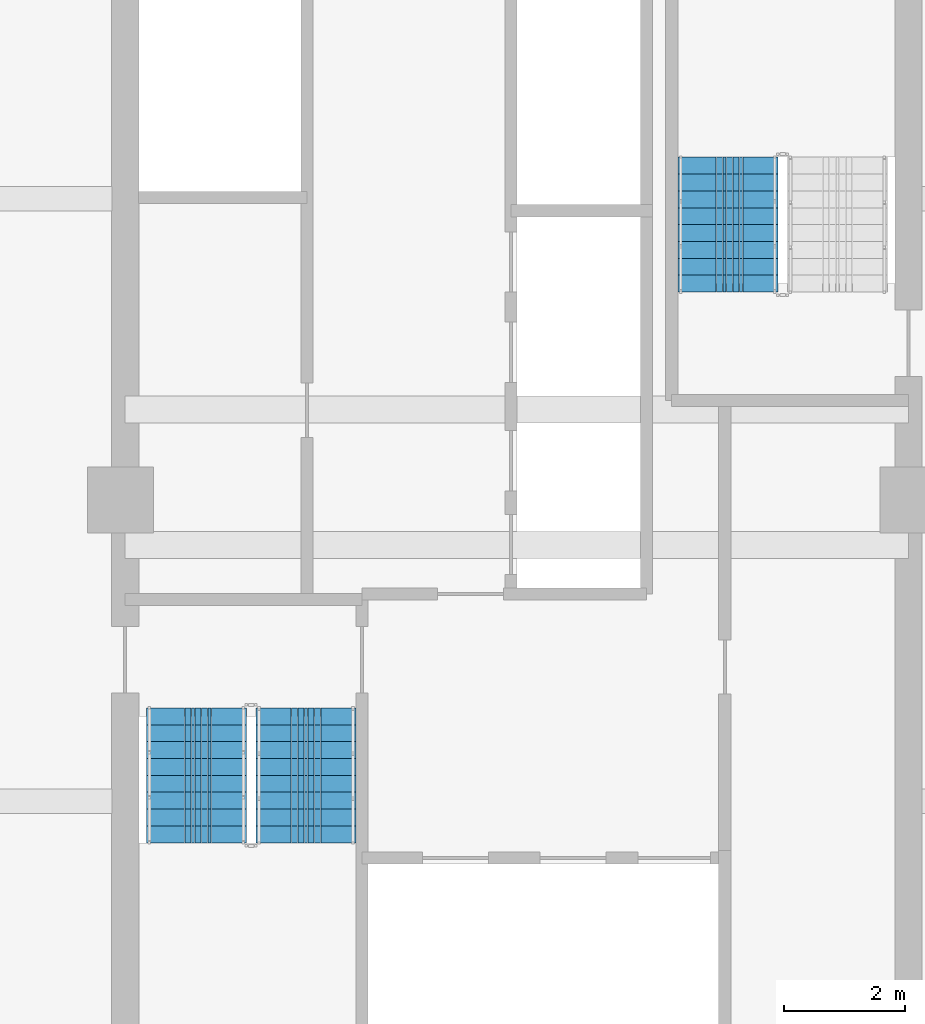
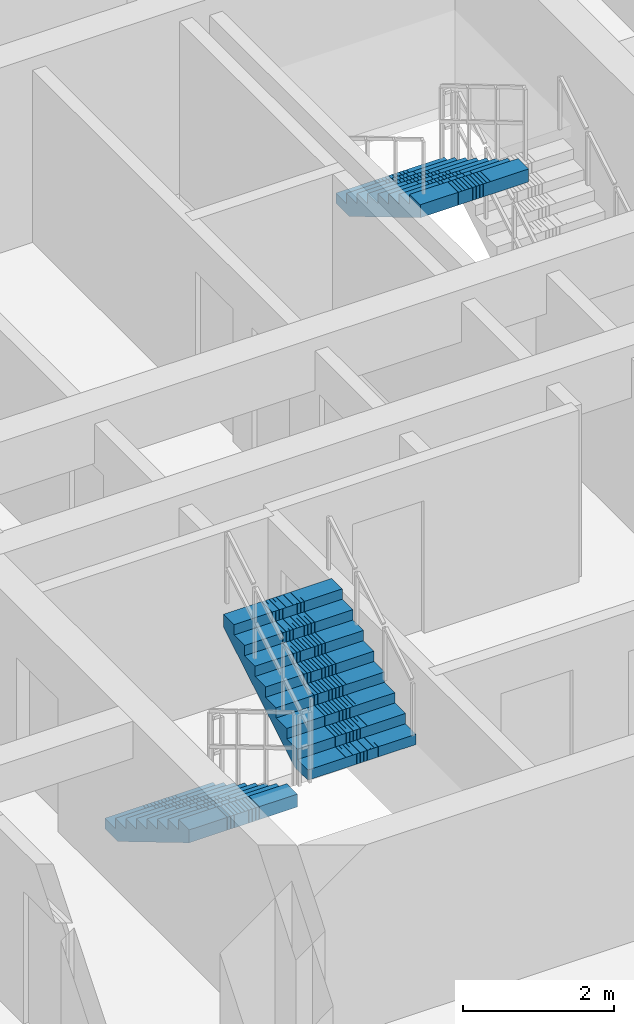
# One storey, part 9 of 15: 3 stair flights, 2 elements without a shape of their own.
"""IFC4 building model written with IfcOpenShell, lengths in metres."""

from ifc_helpers import new_model, si_unit, direction, frame, origin, place, context, subcontext, project, spatial, polyline, outline, extrude, material, type_object, element, aggregate, save


model = new_model("IFC4")

# Units and contexts
model_context = context("Model", 3, precision=1e-05, world=origin(), true_north=direction((0.0, 1.0)))
body_context = subcontext(model_context, "Body", "Model", "MODEL_VIEW")
ifc_project = project(units=[si_unit("LENGTHUNIT", "METRE"), si_unit("AREAUNIT", "SQUARE_METRE"), si_unit("VOLUMEUNIT", "CUBIC_METRE"), si_unit("PLANEANGLEUNIT", "RADIAN"), si_unit("MASSUNIT", "GRAM", prefix="KILO")], contexts=[model_context])

# Site, building, storey
site_placement = place(None, origin())
site = spatial("IfcSite", under=ifc_project, at=site_placement, CompositionType="ELEMENT")
building_placement = place(site_placement, origin())
building = spatial("IfcBuilding", under=site, at=building_placement, Name="Saelheon Loggia Tower", CompositionType="ELEMENT")
storey_placement = place(building_placement, frame((0.0, 0.0, 163.0)))
storey = spatial("IfcBuildingStorey", under=building, at=storey_placement, Name="L51", CompositionType="ELEMENT", Elevation=163.0)

# Stair, stair flights
ifc_material = material(Name="Concrete C40/50", Category="concrete")
stair_type = type_object("IfcStairType", Name="Stair_Escape_Core", PredefinedType="HALF_TURN_STAIR", material=ifc_material)
stair_1_placement = place(storey_placement, origin())
stair_1 = element("IfcStair", 1, at=stair_1_placement, inside=storey, type_object=stair_type, Name="L51 Special Escape Stair ST1", PredefinedType="HALF_TURN_STAIR")
stair_flight_type = type_object("IfcStairFlightType", Name="StairFlight_Tower_1660", PredefinedType="STRAIGHT", material=ifc_material)
stair_flight_1_placement = place(storey_placement, frame((32.679931640625, 23.550048828125, 0.0), z_axis=(0.0, 0.0, 1.0), x_axis=(0.0, -1.0, 0.0)))
stair_flight_1 = element("IfcStairFlight", 2, at=stair_flight_1_placement, type_object=stair_flight_type, Name="ST1 flight 1", NumberOfRisers=9, NumberOfTreads=8, PredefinedType="STRAIGHT", RiserHeight=0.166666667, TreadLength=0.28, context=body_context, shape_type="SweptSolid", body=[
    extrude(outline(polyline([(0.0, 0.0), (0.0, 0.166748046875), (0.280029296875, 0.166748046875), (0.280029296875, 0.333251953125), (0.56005859375, 0.333251953125), (0.56005859375, 0.5), (0.840087890625, 0.5), (0.840087890625, 0.666748046875), (1.1201171875, 0.666748046875), (1.1201171875, 0.833251953125), (1.39990234375, 0.833251953125), (1.39990234375, 1.0), (1.679931640625, 1.0), (1.679931640625, 1.166748046875), (1.9599609375, 1.166748046875), (1.9599609375, 1.333251953125), (2.239990234375, 1.333251953125), (2.239990234375, 1.5), (2.239990234375, 1.1240234375), (0.351806640625, 0.0), (0.0, 0.0)])), frame((0.0, -0.2490234375, 0.0), z_axis=(0.0, -1.0, 0.0), x_axis=(1.0, 0.0, 0.0)), (0.0, 0.0, 1.0), 0.5810546875),
    extrude(outline(polyline([(0.0, 0.0), (0.0, 0.166748046875), (0.280029296875, 0.166748046875), (0.280029296875, 0.333251953125), (0.56005859375, 0.333251953125), (0.56005859375, 0.5), (0.840087890625, 0.5), (0.840087890625, 0.666748046875), (1.1201171875, 0.666748046875), (1.1201171875, 0.833251953125), (1.39990234375, 0.833251953125), (1.39990234375, 1.0), (1.679931640625, 1.0), (1.679931640625, 1.166748046875), (1.9599609375, 1.166748046875), (1.9599609375, 1.333251953125), (2.239990234375, 1.333251953125), (2.239990234375, 1.5), (2.239990234375, 1.1240234375), (0.351806640625, 0.0), (0.0, 0.0)])), frame((0.0, -0.194091796875, 0.0), z_axis=(0.0, -1.0, 0.0), x_axis=(1.0, 0.0, 0.0)), (0.0, 0.0, 1.0), 0.0498046875),
    extrude(outline(polyline([(0.0, 0.0), (0.0, 0.166748046875), (0.280029296875, 0.166748046875), (0.280029296875, 0.333251953125), (0.56005859375, 0.333251953125), (0.56005859375, 0.5), (0.840087890625, 0.5), (0.840087890625, 0.666748046875), (1.1201171875, 0.666748046875), (1.1201171875, 0.833251953125), (1.39990234375, 0.833251953125), (1.39990234375, 1.0), (1.679931640625, 1.0), (1.679931640625, 1.166748046875), (1.9599609375, 1.166748046875), (1.9599609375, 1.333251953125), (2.239990234375, 1.333251953125), (2.239990234375, 1.5), (2.239990234375, 1.1240234375), (0.351806640625, 0.0), (0.0, 0.0)])), frame((0.0, -0.139404296875, 0.0), z_axis=(0.0, -1.0, 0.0), x_axis=(1.0, 0.0, 0.0)), (0.0, 0.0, 1.0), 0.0498046875),
    extrude(outline(polyline([(0.0, 0.0), (0.0, 0.166748046875), (0.280029296875, 0.166748046875), (0.280029296875, 0.333251953125), (0.56005859375, 0.333251953125), (0.56005859375, 0.5), (0.840087890625, 0.5), (0.840087890625, 0.666748046875), (1.1201171875, 0.666748046875), (1.1201171875, 0.833251953125), (1.39990234375, 0.833251953125), (1.39990234375, 1.0), (1.679931640625, 1.0), (1.679931640625, 1.166748046875), (1.9599609375, 1.166748046875), (1.9599609375, 1.333251953125), (2.239990234375, 1.333251953125), (2.239990234375, 1.5), (2.239990234375, 1.1240234375), (0.351806640625, 0.0), (0.0, 0.0)])), frame((0.0, -0.084716796875, 0.0), z_axis=(0.0, -1.0, 0.0), x_axis=(1.0, 0.0, 0.0)), (0.0, 0.0, 1.0), 0.0498046875),
    extrude(outline(polyline([(0.0, 0.0), (0.0, 0.166748046875), (0.280029296875, 0.166748046875), (0.280029296875, 0.333251953125), (0.56005859375, 0.333251953125), (0.56005859375, 0.5), (0.840087890625, 0.5), (0.840087890625, 0.666748046875), (1.1201171875, 0.666748046875), (1.1201171875, 0.833251953125), (1.39990234375, 0.833251953125), (1.39990234375, 1.0), (1.679931640625, 1.0), (1.679931640625, 1.166748046875), (1.9599609375, 1.166748046875), (1.9599609375, 1.333251953125), (2.239990234375, 1.333251953125), (2.239990234375, 1.5), (2.239990234375, 1.1240234375), (0.351806640625, 0.0), (0.0, 0.0)])), frame((0.0, -0.02978515625, 0.0), z_axis=(0.0, -1.0, 0.0), x_axis=(1.0, 0.0, 0.0)), (0.0, 0.0, 1.0), 0.0498046875),
    extrude(outline(polyline([(0.0, 0.0), (0.0, 0.166748046875), (0.280029296875, 0.166748046875), (0.280029296875, 0.333251953125), (0.56005859375, 0.333251953125), (0.56005859375, 0.5), (0.840087890625, 0.5), (0.840087890625, 0.666748046875), (1.1201171875, 0.666748046875), (1.1201171875, 0.833251953125), (1.39990234375, 0.833251953125), (1.39990234375, 1.0), (1.679931640625, 1.0), (1.679931640625, 1.166748046875), (1.9599609375, 1.166748046875), (1.9599609375, 1.333251953125), (2.239990234375, 1.333251953125), (2.239990234375, 1.5), (2.239990234375, 1.1240234375), (0.351806640625, 0.0), (0.0, 0.0)])), frame((0.0, 0.02490234375, 0.0), z_axis=(0.0, -1.0, 0.0), x_axis=(1.0, 0.0, 0.0)), (0.0, 0.0, 1.0), 0.0498046875),
    extrude(outline(polyline([(0.0, 0.0), (0.0, 0.166748046875), (0.280029296875, 0.166748046875), (0.280029296875, 0.333251953125), (0.56005859375, 0.333251953125), (0.56005859375, 0.5), (0.840087890625, 0.5), (0.840087890625, 0.666748046875), (1.1201171875, 0.666748046875), (1.1201171875, 0.833251953125), (1.39990234375, 0.833251953125), (1.39990234375, 1.0), (1.679931640625, 1.0), (1.679931640625, 1.166748046875), (1.9599609375, 1.166748046875), (1.9599609375, 1.333251953125), (2.239990234375, 1.333251953125), (2.239990234375, 1.5), (2.239990234375, 1.1240234375), (0.351806640625, 0.0), (0.0, 0.0)])), frame((0.0, 0.07958984375, 0.0), z_axis=(0.0, -1.0, 0.0), x_axis=(1.0, 0.0, 0.0)), (0.0, 0.0, 1.0), 0.0498046875),
    extrude(outline(polyline([(0.0, 0.0), (0.0, 0.166748046875), (0.280029296875, 0.166748046875), (0.280029296875, 0.333251953125), (0.56005859375, 0.333251953125), (0.56005859375, 0.5), (0.840087890625, 0.5), (0.840087890625, 0.666748046875), (1.1201171875, 0.666748046875), (1.1201171875, 0.833251953125), (1.39990234375, 0.833251953125), (1.39990234375, 1.0), (1.679931640625, 1.0), (1.679931640625, 1.166748046875), (1.9599609375, 1.166748046875), (1.9599609375, 1.333251953125), (2.239990234375, 1.333251953125), (2.239990234375, 1.5), (2.239990234375, 1.1240234375), (0.351806640625, 0.0), (0.0, 0.0)])), frame((0.0, 0.134521484375, 0.0), z_axis=(0.0, -1.0, 0.0), x_axis=(1.0, 0.0, 0.0)), (0.0, 0.0, 1.0), 0.0498046875),
    extrude(outline(polyline([(0.0, 0.0), (0.0, 0.166748046875), (0.280029296875, 0.166748046875), (0.280029296875, 0.333251953125), (0.56005859375, 0.333251953125), (0.56005859375, 0.5), (0.840087890625, 0.5), (0.840087890625, 0.666748046875), (1.1201171875, 0.666748046875), (1.1201171875, 0.833251953125), (1.39990234375, 0.833251953125), (1.39990234375, 1.0), (1.679931640625, 1.0), (1.679931640625, 1.166748046875), (1.9599609375, 1.166748046875), (1.9599609375, 1.333251953125), (2.239990234375, 1.333251953125), (2.239990234375, 1.5), (2.239990234375, 1.1240234375), (0.351806640625, 0.0), (0.0, 0.0)])), frame((0.0, 0.189208984375, 0.0), z_axis=(0.0, -1.0, 0.0), x_axis=(1.0, 0.0, 0.0)), (0.0, 0.0, 1.0), 0.0498046875),
    extrude(outline(polyline([(0.0, 0.0), (0.0, 0.166748046875), (0.280029296875, 0.166748046875), (0.280029296875, 0.333251953125), (0.56005859375, 0.333251953125), (0.56005859375, 0.5), (0.840087890625, 0.5), (0.840087890625, 0.666748046875), (1.1201171875, 0.666748046875), (1.1201171875, 0.833251953125), (1.39990234375, 0.833251953125), (1.39990234375, 1.0), (1.679931640625, 1.0), (1.679931640625, 1.166748046875), (1.9599609375, 1.166748046875), (1.9599609375, 1.333251953125), (2.239990234375, 1.333251953125), (2.239990234375, 1.5), (2.239990234375, 1.1240234375), (0.351806640625, 0.0), (0.0, 0.0)])), frame((0.0, 0.243896484375, 0.0), z_axis=(0.0, -1.0, 0.0), x_axis=(1.0, 0.0, 0.0)), (0.0, 0.0, 1.0), 0.0498046875),
    extrude(outline(polyline([(0.0, 0.0), (0.0, 0.166748046875), (0.280029296875, 0.166748046875), (0.280029296875, 0.333251953125), (0.56005859375, 0.333251953125), (0.56005859375, 0.5), (0.840087890625, 0.5), (0.840087890625, 0.666748046875), (1.1201171875, 0.666748046875), (1.1201171875, 0.833251953125), (1.39990234375, 0.833251953125), (1.39990234375, 1.0), (1.679931640625, 1.0), (1.679931640625, 1.166748046875), (1.9599609375, 1.166748046875), (1.9599609375, 1.333251953125), (2.239990234375, 1.333251953125), (2.239990234375, 1.5), (2.239990234375, 1.1240234375), (0.351806640625, 0.0), (0.0, 0.0)])), frame((0.0, 0.830078125, 0.0), z_axis=(0.0, -1.0, 0.0), x_axis=(1.0, 0.0, 0.0)), (0.0, 0.0, 1.0), 0.5810546875),
])
stair_flight_2_placement = place(storey_placement, frame((34.5, 21.31005859375, 1.5), z_axis=(0.0, 0.0, 1.0), x_axis=(0.0, 1.0, 0.0)))
stair_flight_2 = element("IfcStairFlight", 3, at=stair_flight_2_placement, type_object=stair_flight_type, Name="ST1 flight 2", NumberOfRisers=9, NumberOfTreads=8, PredefinedType="STRAIGHT", RiserHeight=0.166666667, TreadLength=0.28, context=body_context, shape_type="SweptSolid", body=[
    extrude(outline(polyline([(0.0, 0.0), (0.0, 0.166748046875), (0.280029296875, 0.166748046875), (0.280029296875, 0.333251953125), (0.56005859375, 0.333251953125), (0.56005859375, 0.5), (0.840087890625, 0.5), (0.840087890625, 0.666748046875), (1.1201171875, 0.666748046875), (1.1201171875, 0.833251953125), (1.39990234375, 0.833251953125), (1.39990234375, 1.0), (1.679931640625, 1.0), (1.679931640625, 1.166748046875), (1.9599609375, 1.166748046875), (1.9599609375, 1.333251953125), (2.239990234375, 1.333251953125), (2.239990234375, 1.5), (2.239990234375, 1.1240234375), (0.351806640625, 0.0), (0.0, 0.0)])), frame((0.0, -0.2490234375, 0.0), z_axis=(0.0, -1.0, 0.0), x_axis=(1.0, 0.0, 0.0)), (0.0, 0.0, 1.0), 0.5810546875),
    extrude(outline(polyline([(0.0, 0.0), (0.0, 0.166748046875), (0.280029296875, 0.166748046875), (0.280029296875, 0.333251953125), (0.56005859375, 0.333251953125), (0.56005859375, 0.5), (0.840087890625, 0.5), (0.840087890625, 0.666748046875), (1.1201171875, 0.666748046875), (1.1201171875, 0.833251953125), (1.39990234375, 0.833251953125), (1.39990234375, 1.0), (1.679931640625, 1.0), (1.679931640625, 1.166748046875), (1.9599609375, 1.166748046875), (1.9599609375, 1.333251953125), (2.239990234375, 1.333251953125), (2.239990234375, 1.5), (2.239990234375, 1.1240234375), (0.351806640625, 0.0), (0.0, 0.0)])), frame((0.0, -0.194091796875, 0.0), z_axis=(0.0, -1.0, 0.0), x_axis=(1.0, 0.0, 0.0)), (0.0, 0.0, 1.0), 0.0498046875),
    extrude(outline(polyline([(0.0, 0.0), (0.0, 0.166748046875), (0.280029296875, 0.166748046875), (0.280029296875, 0.333251953125), (0.56005859375, 0.333251953125), (0.56005859375, 0.5), (0.840087890625, 0.5), (0.840087890625, 0.666748046875), (1.1201171875, 0.666748046875), (1.1201171875, 0.833251953125), (1.39990234375, 0.833251953125), (1.39990234375, 1.0), (1.679931640625, 1.0), (1.679931640625, 1.166748046875), (1.9599609375, 1.166748046875), (1.9599609375, 1.333251953125), (2.239990234375, 1.333251953125), (2.239990234375, 1.5), (2.239990234375, 1.1240234375), (0.351806640625, 0.0), (0.0, 0.0)])), frame((0.0, -0.139404296875, 0.0), z_axis=(0.0, -1.0, 0.0), x_axis=(1.0, 0.0, 0.0)), (0.0, 0.0, 1.0), 0.0498046875),
    extrude(outline(polyline([(0.0, 0.0), (0.0, 0.166748046875), (0.280029296875, 0.166748046875), (0.280029296875, 0.333251953125), (0.56005859375, 0.333251953125), (0.56005859375, 0.5), (0.840087890625, 0.5), (0.840087890625, 0.666748046875), (1.1201171875, 0.666748046875), (1.1201171875, 0.833251953125), (1.39990234375, 0.833251953125), (1.39990234375, 1.0), (1.679931640625, 1.0), (1.679931640625, 1.166748046875), (1.9599609375, 1.166748046875), (1.9599609375, 1.333251953125), (2.239990234375, 1.333251953125), (2.239990234375, 1.5), (2.239990234375, 1.1240234375), (0.351806640625, 0.0), (0.0, 0.0)])), frame((0.0, -0.084716796875, 0.0), z_axis=(0.0, -1.0, 0.0), x_axis=(1.0, 0.0, 0.0)), (0.0, 0.0, 1.0), 0.0498046875),
    extrude(outline(polyline([(0.0, 0.0), (0.0, 0.166748046875), (0.280029296875, 0.166748046875), (0.280029296875, 0.333251953125), (0.56005859375, 0.333251953125), (0.56005859375, 0.5), (0.840087890625, 0.5), (0.840087890625, 0.666748046875), (1.1201171875, 0.666748046875), (1.1201171875, 0.833251953125), (1.39990234375, 0.833251953125), (1.39990234375, 1.0), (1.679931640625, 1.0), (1.679931640625, 1.166748046875), (1.9599609375, 1.166748046875), (1.9599609375, 1.333251953125), (2.239990234375, 1.333251953125), (2.239990234375, 1.5), (2.239990234375, 1.1240234375), (0.351806640625, 0.0), (0.0, 0.0)])), frame((0.0, -0.02978515625, 0.0), z_axis=(0.0, -1.0, 0.0), x_axis=(1.0, 0.0, 0.0)), (0.0, 0.0, 1.0), 0.0498046875),
    extrude(outline(polyline([(0.0, 0.0), (0.0, 0.166748046875), (0.280029296875, 0.166748046875), (0.280029296875, 0.333251953125), (0.56005859375, 0.333251953125), (0.56005859375, 0.5), (0.840087890625, 0.5), (0.840087890625, 0.666748046875), (1.1201171875, 0.666748046875), (1.1201171875, 0.833251953125), (1.39990234375, 0.833251953125), (1.39990234375, 1.0), (1.679931640625, 1.0), (1.679931640625, 1.166748046875), (1.9599609375, 1.166748046875), (1.9599609375, 1.333251953125), (2.239990234375, 1.333251953125), (2.239990234375, 1.5), (2.239990234375, 1.1240234375), (0.351806640625, 0.0), (0.0, 0.0)])), frame((0.0, 0.02490234375, 0.0), z_axis=(0.0, -1.0, 0.0), x_axis=(1.0, 0.0, 0.0)), (0.0, 0.0, 1.0), 0.0498046875),
    extrude(outline(polyline([(0.0, 0.0), (0.0, 0.166748046875), (0.280029296875, 0.166748046875), (0.280029296875, 0.333251953125), (0.56005859375, 0.333251953125), (0.56005859375, 0.5), (0.840087890625, 0.5), (0.840087890625, 0.666748046875), (1.1201171875, 0.666748046875), (1.1201171875, 0.833251953125), (1.39990234375, 0.833251953125), (1.39990234375, 1.0), (1.679931640625, 1.0), (1.679931640625, 1.166748046875), (1.9599609375, 1.166748046875), (1.9599609375, 1.333251953125), (2.239990234375, 1.333251953125), (2.239990234375, 1.5), (2.239990234375, 1.1240234375), (0.351806640625, 0.0), (0.0, 0.0)])), frame((0.0, 0.07958984375, 0.0), z_axis=(0.0, -1.0, 0.0), x_axis=(1.0, 0.0, 0.0)), (0.0, 0.0, 1.0), 0.0498046875),
    extrude(outline(polyline([(0.0, 0.0), (0.0, 0.166748046875), (0.280029296875, 0.166748046875), (0.280029296875, 0.333251953125), (0.56005859375, 0.333251953125), (0.56005859375, 0.5), (0.840087890625, 0.5), (0.840087890625, 0.666748046875), (1.1201171875, 0.666748046875), (1.1201171875, 0.833251953125), (1.39990234375, 0.833251953125), (1.39990234375, 1.0), (1.679931640625, 1.0), (1.679931640625, 1.166748046875), (1.9599609375, 1.166748046875), (1.9599609375, 1.333251953125), (2.239990234375, 1.333251953125), (2.239990234375, 1.5), (2.239990234375, 1.1240234375), (0.351806640625, 0.0), (0.0, 0.0)])), frame((0.0, 0.134521484375, 0.0), z_axis=(0.0, -1.0, 0.0), x_axis=(1.0, 0.0, 0.0)), (0.0, 0.0, 1.0), 0.0498046875),
    extrude(outline(polyline([(0.0, 0.0), (0.0, 0.166748046875), (0.280029296875, 0.166748046875), (0.280029296875, 0.333251953125), (0.56005859375, 0.333251953125), (0.56005859375, 0.5), (0.840087890625, 0.5), (0.840087890625, 0.666748046875), (1.1201171875, 0.666748046875), (1.1201171875, 0.833251953125), (1.39990234375, 0.833251953125), (1.39990234375, 1.0), (1.679931640625, 1.0), (1.679931640625, 1.166748046875), (1.9599609375, 1.166748046875), (1.9599609375, 1.333251953125), (2.239990234375, 1.333251953125), (2.239990234375, 1.5), (2.239990234375, 1.1240234375), (0.351806640625, 0.0), (0.0, 0.0)])), frame((0.0, 0.189208984375, 0.0), z_axis=(0.0, -1.0, 0.0), x_axis=(1.0, 0.0, 0.0)), (0.0, 0.0, 1.0), 0.0498046875),
    extrude(outline(polyline([(0.0, 0.0), (0.0, 0.166748046875), (0.280029296875, 0.166748046875), (0.280029296875, 0.333251953125), (0.56005859375, 0.333251953125), (0.56005859375, 0.5), (0.840087890625, 0.5), (0.840087890625, 0.666748046875), (1.1201171875, 0.666748046875), (1.1201171875, 0.833251953125), (1.39990234375, 0.833251953125), (1.39990234375, 1.0), (1.679931640625, 1.0), (1.679931640625, 1.166748046875), (1.9599609375, 1.166748046875), (1.9599609375, 1.333251953125), (2.239990234375, 1.333251953125), (2.239990234375, 1.5), (2.239990234375, 1.1240234375), (0.351806640625, 0.0), (0.0, 0.0)])), frame((0.0, 0.243896484375, 0.0), z_axis=(0.0, -1.0, 0.0), x_axis=(1.0, 0.0, 0.0)), (0.0, 0.0, 1.0), 0.0498046875),
    extrude(outline(polyline([(0.0, 0.0), (0.0, 0.166748046875), (0.280029296875, 0.166748046875), (0.280029296875, 0.333251953125), (0.56005859375, 0.333251953125), (0.56005859375, 0.5), (0.840087890625, 0.5), (0.840087890625, 0.666748046875), (1.1201171875, 0.666748046875), (1.1201171875, 0.833251953125), (1.39990234375, 0.833251953125), (1.39990234375, 1.0), (1.679931640625, 1.0), (1.679931640625, 1.166748046875), (1.9599609375, 1.166748046875), (1.9599609375, 1.333251953125), (2.239990234375, 1.333251953125), (2.239990234375, 1.5), (2.239990234375, 1.1240234375), (0.351806640625, 0.0), (0.0, 0.0)])), frame((0.0, 0.830078125, 0.0), z_axis=(0.0, -1.0, 0.0), x_axis=(1.0, 0.0, 0.0)), (0.0, 0.0, 1.0), 0.5810546875),
])
aggregate(stair_1, [stair_flight_1, stair_flight_2])

# Stair, stair flight
stair_2_placement = place(storey_placement, origin())
stair_2 = element("IfcStair", 4, at=stair_2_placement, inside=storey, type_object=stair_type, Name="L51 Special Escape Stair ST2", PredefinedType="HALF_TURN_STAIR")
stair_flight_3_placement = place(storey_placement, frame((41.5, 32.68994140625, 1.5), z_axis=(0.0, 0.0, 1.0), x_axis=(0.0, -1.0, 0.0)))
stair_flight_3 = element("IfcStairFlight", 5, at=stair_flight_3_placement, type_object=stair_flight_type, Name="ST2 flight 2", NumberOfRisers=9, NumberOfTreads=8, PredefinedType="STRAIGHT", RiserHeight=0.166666667, TreadLength=0.28, context=body_context, shape_type="SweptSolid", body=[
    extrude(outline(polyline([(0.0, 0.0), (0.0, 0.166748046875), (0.280029296875, 0.166748046875), (0.280029296875, 0.333251953125), (0.56005859375, 0.333251953125), (0.56005859375, 0.5), (0.840087890625, 0.5), (0.840087890625, 0.666748046875), (1.1201171875, 0.666748046875), (1.1201171875, 0.833251953125), (1.39990234375, 0.833251953125), (1.39990234375, 1.0), (1.679931640625, 1.0), (1.679931640625, 1.166748046875), (1.9599609375, 1.166748046875), (1.9599609375, 1.333251953125), (2.239990234375, 1.333251953125), (2.239990234375, 1.5), (2.239990234375, 1.1240234375), (0.351806640625, 0.0), (0.0, 0.0)])), frame((0.0, -0.2490234375, 0.0), z_axis=(0.0, -1.0, 0.0), x_axis=(1.0, 0.0, 0.0)), (0.0, 0.0, 1.0), 0.5810546875),
    extrude(outline(polyline([(0.0, 0.0), (0.0, 0.166748046875), (0.280029296875, 0.166748046875), (0.280029296875, 0.333251953125), (0.56005859375, 0.333251953125), (0.56005859375, 0.5), (0.840087890625, 0.5), (0.840087890625, 0.666748046875), (1.1201171875, 0.666748046875), (1.1201171875, 0.833251953125), (1.39990234375, 0.833251953125), (1.39990234375, 1.0), (1.679931640625, 1.0), (1.679931640625, 1.166748046875), (1.9599609375, 1.166748046875), (1.9599609375, 1.333251953125), (2.239990234375, 1.333251953125), (2.239990234375, 1.5), (2.239990234375, 1.1240234375), (0.351806640625, 0.0), (0.0, 0.0)])), frame((0.0, -0.194091796875, 0.0), z_axis=(0.0, -1.0, 0.0), x_axis=(1.0, 0.0, 0.0)), (0.0, 0.0, 1.0), 0.0498046875),
    extrude(outline(polyline([(0.0, 0.0), (0.0, 0.166748046875), (0.280029296875, 0.166748046875), (0.280029296875, 0.333251953125), (0.56005859375, 0.333251953125), (0.56005859375, 0.5), (0.840087890625, 0.5), (0.840087890625, 0.666748046875), (1.1201171875, 0.666748046875), (1.1201171875, 0.833251953125), (1.39990234375, 0.833251953125), (1.39990234375, 1.0), (1.679931640625, 1.0), (1.679931640625, 1.166748046875), (1.9599609375, 1.166748046875), (1.9599609375, 1.333251953125), (2.239990234375, 1.333251953125), (2.239990234375, 1.5), (2.239990234375, 1.1240234375), (0.351806640625, 0.0), (0.0, 0.0)])), frame((0.0, -0.139404296875, 0.0), z_axis=(0.0, -1.0, 0.0), x_axis=(1.0, 0.0, 0.0)), (0.0, 0.0, 1.0), 0.0498046875),
    extrude(outline(polyline([(0.0, 0.0), (0.0, 0.166748046875), (0.280029296875, 0.166748046875), (0.280029296875, 0.333251953125), (0.56005859375, 0.333251953125), (0.56005859375, 0.5), (0.840087890625, 0.5), (0.840087890625, 0.666748046875), (1.1201171875, 0.666748046875), (1.1201171875, 0.833251953125), (1.39990234375, 0.833251953125), (1.39990234375, 1.0), (1.679931640625, 1.0), (1.679931640625, 1.166748046875), (1.9599609375, 1.166748046875), (1.9599609375, 1.333251953125), (2.239990234375, 1.333251953125), (2.239990234375, 1.5), (2.239990234375, 1.1240234375), (0.351806640625, 0.0), (0.0, 0.0)])), frame((0.0, -0.084716796875, 0.0), z_axis=(0.0, -1.0, 0.0), x_axis=(1.0, 0.0, 0.0)), (0.0, 0.0, 1.0), 0.0498046875),
    extrude(outline(polyline([(0.0, 0.0), (0.0, 0.166748046875), (0.280029296875, 0.166748046875), (0.280029296875, 0.333251953125), (0.56005859375, 0.333251953125), (0.56005859375, 0.5), (0.840087890625, 0.5), (0.840087890625, 0.666748046875), (1.1201171875, 0.666748046875), (1.1201171875, 0.833251953125), (1.39990234375, 0.833251953125), (1.39990234375, 1.0), (1.679931640625, 1.0), (1.679931640625, 1.166748046875), (1.9599609375, 1.166748046875), (1.9599609375, 1.333251953125), (2.239990234375, 1.333251953125), (2.239990234375, 1.5), (2.239990234375, 1.1240234375), (0.351806640625, 0.0), (0.0, 0.0)])), frame((0.0, -0.02978515625, 0.0), z_axis=(0.0, -1.0, 0.0), x_axis=(1.0, 0.0, 0.0)), (0.0, 0.0, 1.0), 0.0498046875),
    extrude(outline(polyline([(0.0, 0.0), (0.0, 0.166748046875), (0.280029296875, 0.166748046875), (0.280029296875, 0.333251953125), (0.56005859375, 0.333251953125), (0.56005859375, 0.5), (0.840087890625, 0.5), (0.840087890625, 0.666748046875), (1.1201171875, 0.666748046875), (1.1201171875, 0.833251953125), (1.39990234375, 0.833251953125), (1.39990234375, 1.0), (1.679931640625, 1.0), (1.679931640625, 1.166748046875), (1.9599609375, 1.166748046875), (1.9599609375, 1.333251953125), (2.239990234375, 1.333251953125), (2.239990234375, 1.5), (2.239990234375, 1.1240234375), (0.351806640625, 0.0), (0.0, 0.0)])), frame((0.0, 0.02490234375, 0.0), z_axis=(0.0, -1.0, 0.0), x_axis=(1.0, 0.0, 0.0)), (0.0, 0.0, 1.0), 0.0498046875),
    extrude(outline(polyline([(0.0, 0.0), (0.0, 0.166748046875), (0.280029296875, 0.166748046875), (0.280029296875, 0.333251953125), (0.56005859375, 0.333251953125), (0.56005859375, 0.5), (0.840087890625, 0.5), (0.840087890625, 0.666748046875), (1.1201171875, 0.666748046875), (1.1201171875, 0.833251953125), (1.39990234375, 0.833251953125), (1.39990234375, 1.0), (1.679931640625, 1.0), (1.679931640625, 1.166748046875), (1.9599609375, 1.166748046875), (1.9599609375, 1.333251953125), (2.239990234375, 1.333251953125), (2.239990234375, 1.5), (2.239990234375, 1.1240234375), (0.351806640625, 0.0), (0.0, 0.0)])), frame((0.0, 0.07958984375, 0.0), z_axis=(0.0, -1.0, 0.0), x_axis=(1.0, 0.0, 0.0)), (0.0, 0.0, 1.0), 0.0498046875),
    extrude(outline(polyline([(0.0, 0.0), (0.0, 0.166748046875), (0.280029296875, 0.166748046875), (0.280029296875, 0.333251953125), (0.56005859375, 0.333251953125), (0.56005859375, 0.5), (0.840087890625, 0.5), (0.840087890625, 0.666748046875), (1.1201171875, 0.666748046875), (1.1201171875, 0.833251953125), (1.39990234375, 0.833251953125), (1.39990234375, 1.0), (1.679931640625, 1.0), (1.679931640625, 1.166748046875), (1.9599609375, 1.166748046875), (1.9599609375, 1.333251953125), (2.239990234375, 1.333251953125), (2.239990234375, 1.5), (2.239990234375, 1.1240234375), (0.351806640625, 0.0), (0.0, 0.0)])), frame((0.0, 0.134521484375, 0.0), z_axis=(0.0, -1.0, 0.0), x_axis=(1.0, 0.0, 0.0)), (0.0, 0.0, 1.0), 0.0498046875),
    extrude(outline(polyline([(0.0, 0.0), (0.0, 0.166748046875), (0.280029296875, 0.166748046875), (0.280029296875, 0.333251953125), (0.56005859375, 0.333251953125), (0.56005859375, 0.5), (0.840087890625, 0.5), (0.840087890625, 0.666748046875), (1.1201171875, 0.666748046875), (1.1201171875, 0.833251953125), (1.39990234375, 0.833251953125), (1.39990234375, 1.0), (1.679931640625, 1.0), (1.679931640625, 1.166748046875), (1.9599609375, 1.166748046875), (1.9599609375, 1.333251953125), (2.239990234375, 1.333251953125), (2.239990234375, 1.5), (2.239990234375, 1.1240234375), (0.351806640625, 0.0), (0.0, 0.0)])), frame((0.0, 0.189208984375, 0.0), z_axis=(0.0, -1.0, 0.0), x_axis=(1.0, 0.0, 0.0)), (0.0, 0.0, 1.0), 0.0498046875),
    extrude(outline(polyline([(0.0, 0.0), (0.0, 0.166748046875), (0.280029296875, 0.166748046875), (0.280029296875, 0.333251953125), (0.56005859375, 0.333251953125), (0.56005859375, 0.5), (0.840087890625, 0.5), (0.840087890625, 0.666748046875), (1.1201171875, 0.666748046875), (1.1201171875, 0.833251953125), (1.39990234375, 0.833251953125), (1.39990234375, 1.0), (1.679931640625, 1.0), (1.679931640625, 1.166748046875), (1.9599609375, 1.166748046875), (1.9599609375, 1.333251953125), (2.239990234375, 1.333251953125), (2.239990234375, 1.5), (2.239990234375, 1.1240234375), (0.351806640625, 0.0), (0.0, 0.0)])), frame((0.0, 0.243896484375, 0.0), z_axis=(0.0, -1.0, 0.0), x_axis=(1.0, 0.0, 0.0)), (0.0, 0.0, 1.0), 0.0498046875),
    extrude(outline(polyline([(0.0, 0.0), (0.0, 0.166748046875), (0.280029296875, 0.166748046875), (0.280029296875, 0.333251953125), (0.56005859375, 0.333251953125), (0.56005859375, 0.5), (0.840087890625, 0.5), (0.840087890625, 0.666748046875), (1.1201171875, 0.666748046875), (1.1201171875, 0.833251953125), (1.39990234375, 0.833251953125), (1.39990234375, 1.0), (1.679931640625, 1.0), (1.679931640625, 1.166748046875), (1.9599609375, 1.166748046875), (1.9599609375, 1.333251953125), (2.239990234375, 1.333251953125), (2.239990234375, 1.5), (2.239990234375, 1.1240234375), (0.351806640625, 0.0), (0.0, 0.0)])), frame((0.0, 0.830078125, 0.0), z_axis=(0.0, -1.0, 0.0), x_axis=(1.0, 0.0, 0.0)), (0.0, 0.0, 1.0), 0.5810546875),
])
aggregate(stair_2, [stair_flight_3])

save(model, "model.ifc")
